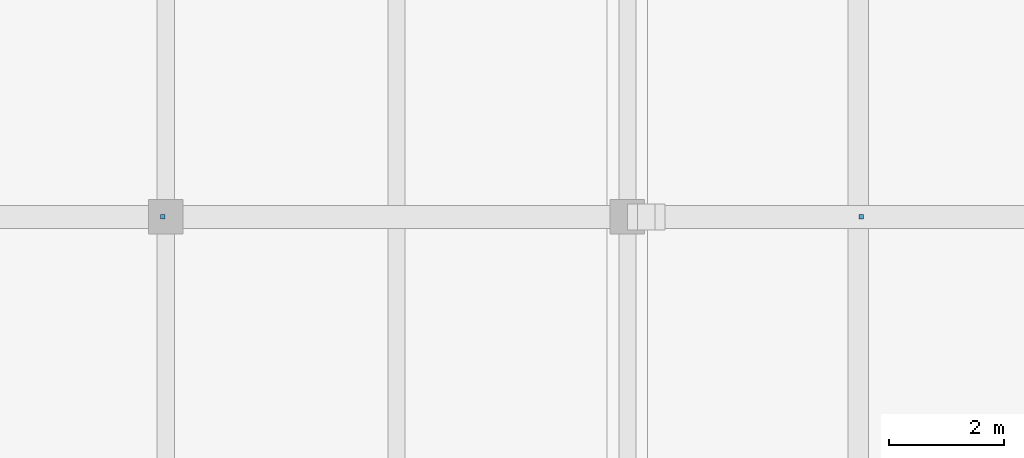
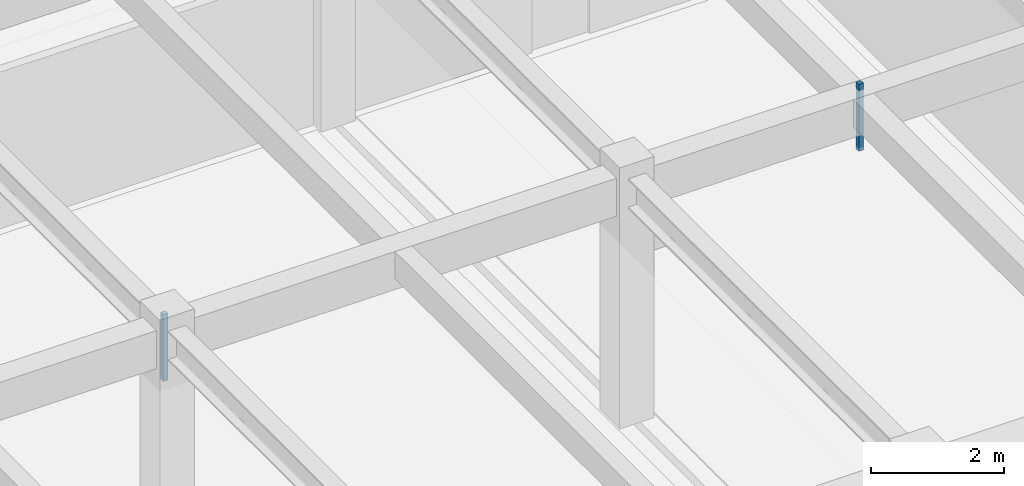
# One storey, part 123 of 144: 2 discrete accessories.
"""IFC4 building model written with IfcOpenShell, lengths in metres."""

from ifc_helpers import new_model, si_unit, direction, frame, origin, origin_2d, place, context, subcontext, project, spatial, rectangle, extrude, material, layer, layer_set, type_object, element, save


model = new_model("IFC4")

# Units and contexts
model_context = context("Model", 3, precision=1e-05, world=origin(), true_north=direction((0.0, 1.0)))
body_context = subcontext(model_context, "Body", "Model", "MODEL_VIEW")
ifc_project = project(units=[si_unit("LENGTHUNIT", "METRE"), si_unit("AREAUNIT", "SQUARE_METRE"), si_unit("VOLUMEUNIT", "CUBIC_METRE"), si_unit("PLANEANGLEUNIT", "RADIAN"), si_unit("MASSUNIT", "GRAM", prefix="KILO")], contexts=[model_context])

# Site, building, storey
site_placement = place(None, origin())
site = spatial("IfcSite", under=ifc_project, at=site_placement, CompositionType="ELEMENT")
building_placement = place(site_placement, origin())
building = spatial("IfcBuilding", under=site, at=building_placement, Name="Varnabhumi Central Station", CompositionType="ELEMENT")
storey_placement = place(building_placement, frame((0.0, 0.0, 4.800048828125)))
storey = spatial("IfcBuildingStorey", under=building, at=storey_placement, Name="L01", CompositionType="ELEMENT", Elevation=4.800048828125)

# Discrete accessories
ifc_material = material(Name="Structural steel E350", Category="steel")
ifc_layer = layer(ifc_material, 0.159912109375, Name="Structural steel E350", Category="steel")
ifc_layer_set = layer_set([ifc_layer], Name="Structural steel E350")
discrete_accessory_type = type_object("IfcDiscreteAccessoryType", Name="ACC-SHADE-BRKT", PredefinedType="BRACKET", material=ifc_layer_set)
for number, where, z_axis, x_axis, name in (
    (1, (111.949951171875, 89.0, 3.43994140625), (0.0, 0.0, 1.0), (1.0, 0.0, 0.0), "Ladies' Transit Dormitory Ceiling Hanger"),
    (2, (124.050048828125, 89.0, 3.43994140625), (0.0, 0.0, 1.0), (1.0, 0.0, 0.0), "Ladies' Transit Dormitory Ceiling Hanger"),
):
    element("IfcDiscreteAccessory", number, at=place(storey_placement, frame(where, z_axis=z_axis, x_axis=x_axis)), inside=storey, type_object=discrete_accessory_type, Name=name, PredefinedType="BRACKET", context=body_context, shape_type="SweptSolid", body=[
        extrude(rectangle(XDim=0.080078125, YDim=0.080078125, at=origin_2d()), origin(), (0.0, 0.0, 1.0), 1.22998046875),
    ])

save(model, "model.ifc")
